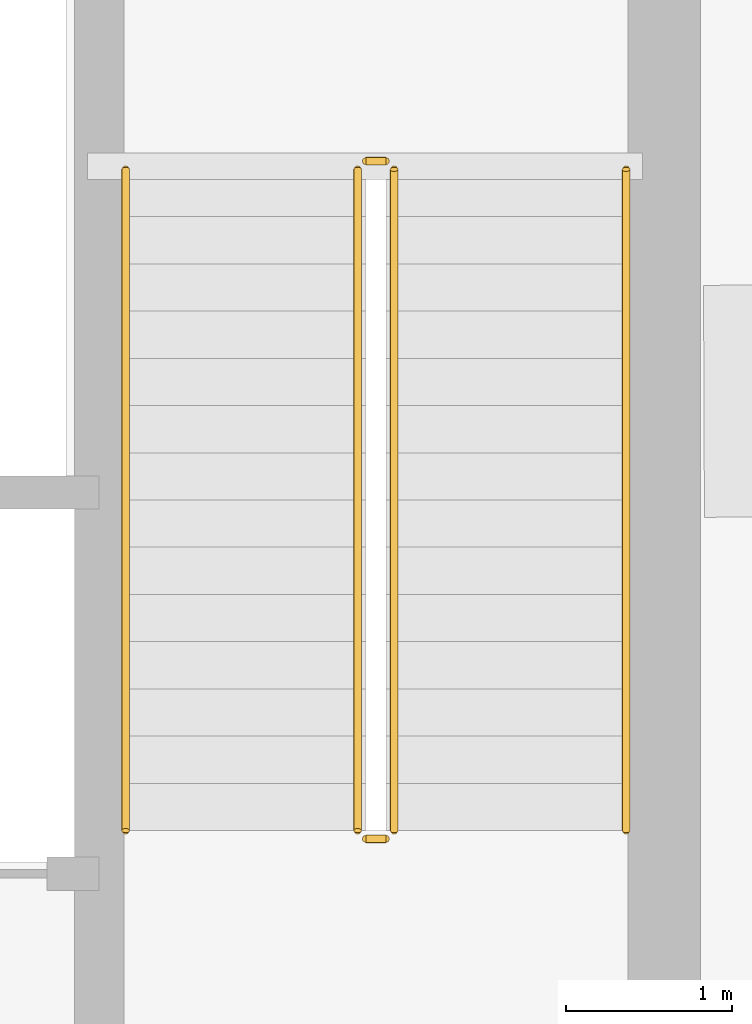
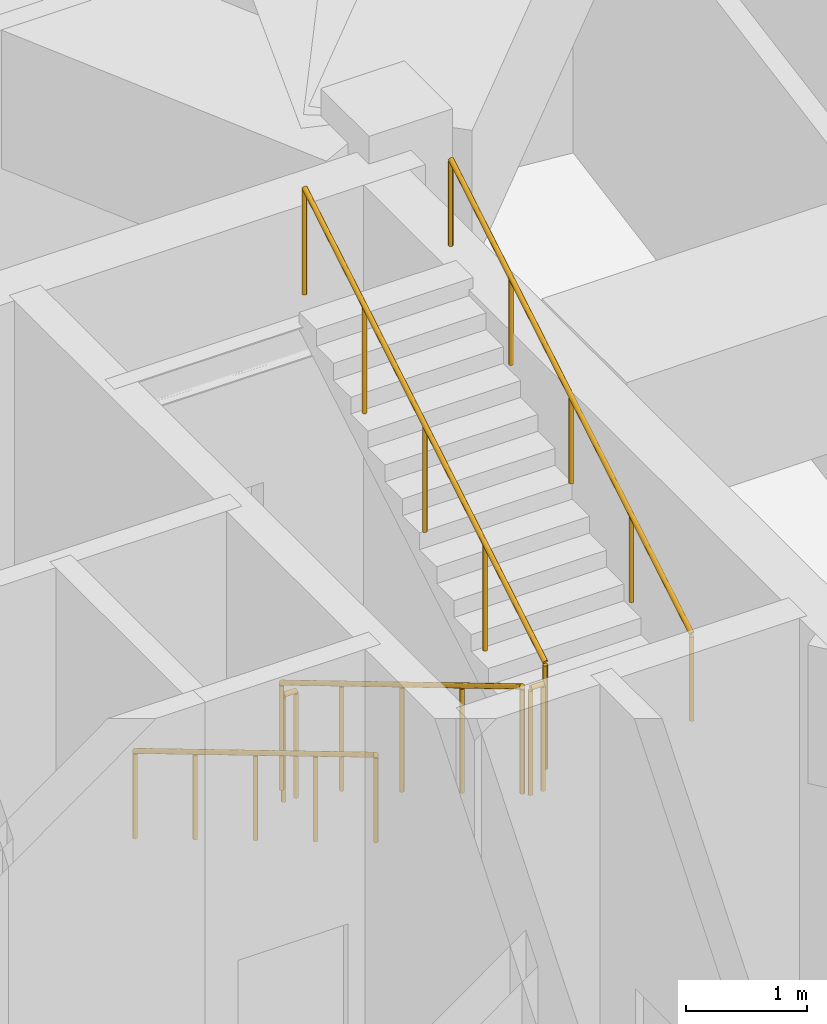
# One storey, part 21 of 21: 6 railings.
"""IFC4 building model written with IfcOpenShell, lengths in metres."""

from ifc_helpers import new_model, si_unit, direction, frame, origin, origin_2d, place, context, subcontext, project, spatial, circle, extrude, material, type_object, element, save


model = new_model("IFC4")

# Units and contexts
model_context = context("Model", 3, precision=1e-05, world=origin(), true_north=direction((0.0, 1.0)))
body_context = subcontext(model_context, "Body", "Model", "MODEL_VIEW")
ifc_project = project(units=[si_unit("LENGTHUNIT", "METRE"), si_unit("AREAUNIT", "SQUARE_METRE"), si_unit("VOLUMEUNIT", "CUBIC_METRE"), si_unit("PLANEANGLEUNIT", "RADIAN"), si_unit("MASSUNIT", "GRAM", prefix="KILO")], contexts=[model_context])

# Site, building, storey
site_placement = place(None, origin())
site = spatial("IfcSite", under=ifc_project, at=site_placement, CompositionType="ELEMENT")
building_placement = place(site_placement, origin())
building = spatial("IfcBuilding", under=site, at=building_placement, Name="Qobustan Lattice House", CompositionType="ELEMENT")
storey_placement = place(building_placement, frame((0.0, 0.0, 223.199951171875)))
storey = spatial("IfcBuildingStorey", under=building, at=storey_placement, Name="L63", CompositionType="ELEMENT", Elevation=223.199951171875)

# Railings
ifc_material_1 = material(Name="Brushed stainless steel handrail", Category="steel")
railing_type_1 = type_object("IfcRailingType", Name="RAL-HR-920", PredefinedType="HANDRAIL", material=ifc_material_1)
railing_1_placement = place(storey_placement, frame((15.179931640625, 3.5, 0.170166015625)))
element("IfcRailing", 1, at=railing_1_placement, inside=storey, type_object=railing_type_1, Name="L63 ST-E1 stair handrail 1", PredefinedType="HANDRAIL", context=body_context, shape_type="SweptSolid", body=[
    extrude(circle(Radius=0.02392578125, at=origin_2d()), frame((0.0, 0.0, 0.8759765625), z_axis=(0.0, -0.85883005064, 0.512260621284), x_axis=(1.0, 0.0, 0.0)), (0.0, 0.0, 1.0), 4.645751953125),
    extrude(circle(Radius=0.02099609375, at=origin_2d()), origin(), (0.0, 0.0, 1.0), 0.851806640625),
    extrude(circle(Radius=0.02099609375, at=origin_2d()), frame((0.0, -0.99755859375, 0.594970703125)), (0.0, 0.0, 1.0), 0.851806640625),
    extrude(circle(Radius=0.02099609375, at=origin_2d()), frame((0.0, -1.9951171875, 1.18994140625)), (0.0, 0.0, 1.0), 0.851806640625),
    extrude(circle(Radius=0.02099609375, at=origin_2d()), frame((0.0, -2.992431640625, 1.784912109375)), (0.0, 0.0, 1.0), 0.851806640625),
    extrude(circle(Radius=0.02099609375, at=origin_2d()), frame((0.0, -3.989990234375, 2.3798828125)), (0.0, 0.0, 1.0), 0.851806640625),
])
railing_2_placement = place(storey_placement, frame((18.199951171875, -0.489990234375, 2.719970703125)))
element("IfcRailing", 2, at=railing_2_placement, inside=storey, type_object=railing_type_1, Name="L63 ST-E1 stair handrail 2", PredefinedType="HANDRAIL", context=body_context, shape_type="SweptSolid", body=[
    extrude(circle(Radius=0.02392578125, at=origin_2d()), frame((0.0, 0.0, 0.8759765625), z_axis=(0.0, 0.858806931142, 0.512299380267), x_axis=(-1.0, 0.0, 0.0)), (0.0, 0.0, 1.0), 4.64599609375),
    extrude(circle(Radius=0.02099609375, at=origin_2d()), origin(), (0.0, 0.0, 1.0), 0.851806640625),
    extrude(circle(Radius=0.02099609375, at=origin_2d()), frame((0.0, 0.99755859375, 0.594970703125)), (0.0, 0.0, 1.0), 0.851806640625),
    extrude(circle(Radius=0.02099609375, at=origin_2d()), frame((0.0, 1.9951171875, 1.18994140625)), (0.0, 0.0, 1.0), 0.851806640625),
    extrude(circle(Radius=0.02099609375, at=origin_2d()), frame((0.0, 2.992431640625, 1.78515625)), (0.0, 0.0, 1.0), 0.851806640625),
    extrude(circle(Radius=0.02099609375, at=origin_2d()), frame((0.0, 3.989990234375, 2.380126953125)), (0.0, 0.0, 1.0), 0.851806640625),
])
ifc_material_2 = material(Name="Painted galvanized steel guardrail", Category="steel")
railing_type_2 = type_object("IfcRailingType", Name="RAL-STG-1150", PredefinedType="GUARDRAIL", material=ifc_material_2)
railing_3_placement = place(storey_placement, frame((16.580078125, 3.5, 0.170166015625)))
element("IfcRailing", 3, at=railing_3_placement, inside=storey, type_object=railing_type_2, Name="L63 ST-E1 stair guard 1", PredefinedType="GUARDRAIL", context=body_context, shape_type="SweptSolid", body=[
    extrude(circle(Radius=0.02392578125, at=origin_2d()), frame((0.0, 0.0, 1.076171875), z_axis=(0.0, -0.85883005064, 0.512260621284), x_axis=(1.0, 0.0, 0.0)), (0.0, 0.0, 1.0), 4.645751953125),
    extrude(circle(Radius=0.02099609375, at=origin_2d()), origin(), (0.0, 0.0, 1.0), 1.052001953125),
    extrude(circle(Radius=0.02099609375, at=origin_2d()), frame((0.0, -0.99755859375, 0.594970703125)), (0.0, 0.0, 1.0), 1.052001953125),
    extrude(circle(Radius=0.02099609375, at=origin_2d()), frame((0.0, -1.9951171875, 1.18994140625)), (0.0, 0.0, 1.0), 1.052001953125),
    extrude(circle(Radius=0.02099609375, at=origin_2d()), frame((0.0, -2.992431640625, 1.784912109375)), (0.0, 0.0, 1.0), 1.052001953125),
    extrude(circle(Radius=0.02099609375, at=origin_2d()), frame((0.0, -3.989990234375, 2.3798828125)), (0.0, 0.0, 1.0), 1.052001953125),
])
railing_4_placement = place(storey_placement, frame((16.6298828125, -0.5400390625, 2.550048828125)))
element("IfcRailing", 4, at=railing_4_placement, inside=storey, type_object=railing_type_2, Name="L63 ST-E1 stair guard 2", PredefinedType="GUARDRAIL", context=body_context, shape_type="SweptSolid", body=[
    extrude(circle(Radius=0.02392578125, at=origin_2d()), frame((0.0, 0.0, 1.076171875), z_axis=(1.0, 0.0, 0.0), x_axis=(0.0, 1.0, 0.0)), (0.0, 0.0, 1.0), 0.1201171875),
    extrude(circle(Radius=0.02099609375, at=origin_2d()), origin(), (0.0, 0.0, 1.0), 1.052001953125),
    extrude(circle(Radius=0.02099609375, at=origin_2d()), frame((0.1201171875, 0.0, 0.0)), (0.0, 0.0, 1.0), 1.052001953125),
])
railing_5_placement = place(storey_placement, frame((16.800048828125, -0.489990234375, 2.719970703125)))
element("IfcRailing", 5, at=railing_5_placement, inside=storey, type_object=railing_type_2, Name="L63 ST-E1 stair guard 3", PredefinedType="GUARDRAIL", context=body_context, shape_type="SweptSolid", body=[
    extrude(circle(Radius=0.02392578125, at=origin_2d()), frame((0.0, 0.0, 1.076171875), z_axis=(0.0, 0.858806931142, 0.512299380267), x_axis=(-1.0, 0.0, 0.0)), (0.0, 0.0, 1.0), 4.64599609375),
    extrude(circle(Radius=0.02099609375, at=origin_2d()), origin(), (0.0, 0.0, 1.0), 1.052001953125),
    extrude(circle(Radius=0.02099609375, at=origin_2d()), frame((0.0, 0.99755859375, 0.594970703125)), (0.0, 0.0, 1.0), 1.052001953125),
    extrude(circle(Radius=0.02099609375, at=origin_2d()), frame((0.0, 1.9951171875, 1.18994140625)), (0.0, 0.0, 1.0), 1.052001953125),
    extrude(circle(Radius=0.02099609375, at=origin_2d()), frame((0.0, 2.992431640625, 1.78515625)), (0.0, 0.0, 1.0), 1.052001953125),
    extrude(circle(Radius=0.02099609375, at=origin_2d()), frame((0.0, 3.989990234375, 2.380126953125)), (0.0, 0.0, 1.0), 1.052001953125),
])
railing_6_placement = place(storey_placement, frame((16.6298828125, 3.550048828125, 0.0)))
element("IfcRailing", 6, at=railing_6_placement, inside=storey, type_object=railing_type_2, Name="L63 ST-E1 stair guard 4", PredefinedType="GUARDRAIL", context=body_context, shape_type="SweptSolid", body=[
    extrude(circle(Radius=0.02392578125, at=origin_2d()), frame((0.0, 0.0, 1.076171875), z_axis=(1.0, 0.0, 0.0), x_axis=(0.0, 1.0, 0.0)), (0.0, 0.0, 1.0), 0.1201171875),
    extrude(circle(Radius=0.02099609375, at=origin_2d()), origin(), (0.0, 0.0, 1.0), 1.052001953125),
    extrude(circle(Radius=0.02099609375, at=origin_2d()), frame((0.1201171875, 0.0, 0.0)), (0.0, 0.0, 1.0), 1.052001953125),
])

save(model, "model.ifc")
